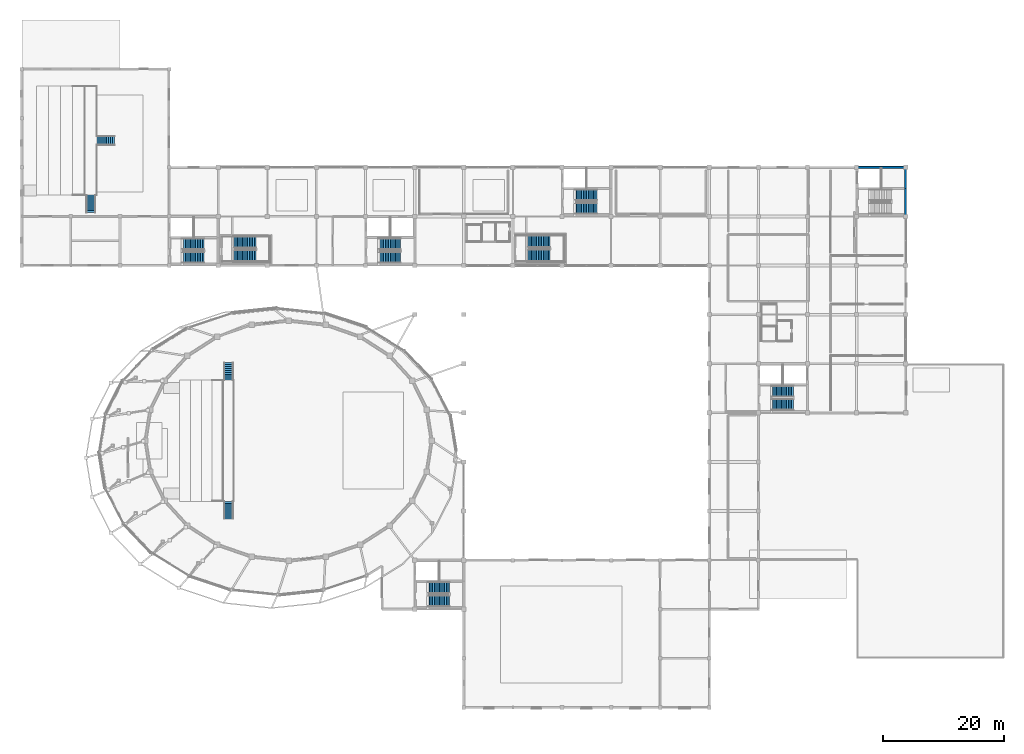
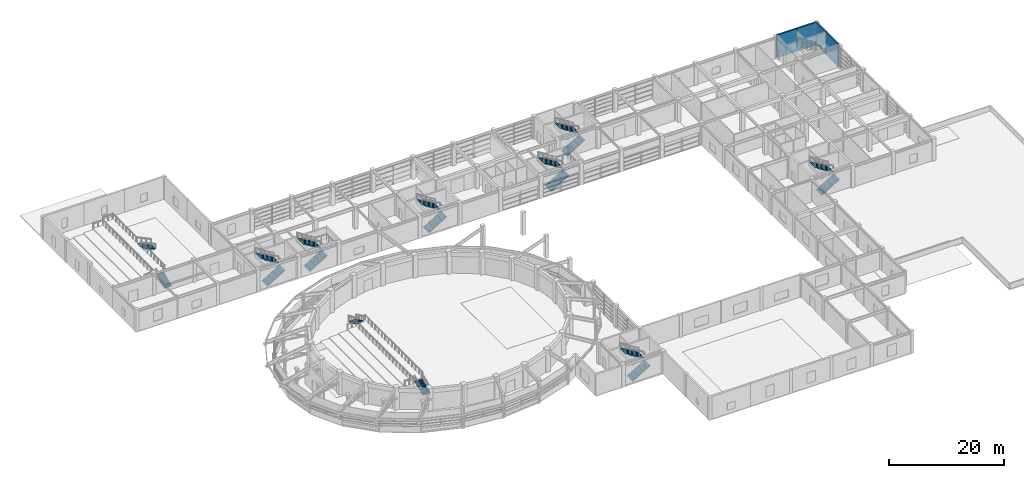
# One storey, part 44 of 56: 18 stair flights, 4 walls, 11 elements without a shape of their own.
"""IFC4 building model written with IfcOpenShell, lengths in metres."""

from ifc_helpers import new_model, si_unit, direction, frame, frame_2d, origin, place, context, subcontext, project, spatial, polyline, rectangle, outline, extrude, material, layer, layer_set, type_object, element, aggregate, save


model = new_model("IFC4")

# Units and contexts
model_context = context("Model", 3, precision=1e-05, world=origin(), true_north=direction((0.0, 1.0)))
body_context = subcontext(model_context, "Body", "Model", "MODEL_VIEW")
ifc_project = project(units=[si_unit("LENGTHUNIT", "METRE"), si_unit("AREAUNIT", "SQUARE_METRE"), si_unit("VOLUMEUNIT", "CUBIC_METRE"), si_unit("PLANEANGLEUNIT", "RADIAN"), si_unit("MASSUNIT", "GRAM", prefix="KILO")], contexts=[model_context])

# Site, building, storey
site_placement = place(None, origin())
site = spatial("IfcSite", under=ifc_project, at=site_placement, CompositionType="ELEMENT")
building_placement = place(site_placement, origin())
building = spatial("IfcBuilding", under=site, at=building_placement, Name="Parian Resonance Hall", CompositionType="ELEMENT")
storey_placement = place(building_placement, frame((0.0, 0.0, 5.39990234375)))
storey = spatial("IfcBuildingStorey", under=building, at=storey_placement, Name="L01", CompositionType="ELEMENT", Elevation=5.39990234375)

# Walls
ifc_material_1 = material(Name="Concrete C40/50", Category="concrete")
ifc_layer = layer(ifc_material_1, 0.31005859375)
ifc_layer_set = layer_set([ifc_layer], Name="Concrete C40/50")
wall_type = type_object("IfcWallType", Name="CW310", PredefinedType="SHEAR", material=ifc_layer_set)
wall_1_placement = place(storey_placement, frame((137.7900390625, 89.10009765625, 0.0), z_axis=(0.0, 0.0, 1.0), x_axis=(1.0, 0.0, 0.0)))
element("IfcWall", 1, at=wall_1_placement, inside=storey, type_object=wall_type, Name="Core K6 north-west shaft wall L01", PredefinedType="SHEAR", context=body_context, shape_type="SweptSolid", body=[
    extrude(rectangle(XDim=3.9599609375, YDim=0.31005859375, at=frame_2d((1.97998046875, 0.0))), origin(), (0.0, 0.0, 1.0), 4.800048828125),
])
wall_2_placement = place(storey_placement, frame((141.75, 89.10009765625, 0.0), z_axis=(0.0, 0.0, 1.0), x_axis=(1.0, 0.0, 0.0)))
element("IfcWall", 2, at=wall_2_placement, inside=storey, type_object=wall_type, Name="Core K6 north-east shaft wall L01", PredefinedType="SHEAR", context=body_context, shape_type="SweptSolid", body=[
    extrude(rectangle(XDim=4.02001953125, YDim=0.31005859375, at=frame_2d((2.010009765625, 0.0))), origin(), (0.0, 0.0, 1.0), 4.800048828125),
])
wall_3_placement = place(storey_placement, frame((145.77001953125, 89.10009765625, 0.0), z_axis=(0.0, 0.0, 1.0), x_axis=(0.0, -1.0, 0.0)))
element("IfcWall", 3, at=wall_3_placement, inside=storey, type_object=wall_type, Name="Core K6 east shaft wall L01", PredefinedType="SHEAR", context=body_context, shape_type="SweptSolid", body=[
    extrude(rectangle(XDim=3.489990234375, YDim=0.31005859375, at=frame_2d((1.7451171875, 0.0))), origin(), (0.0, 0.0, 1.0), 4.800048828125),
])
wall_4_placement = place(storey_placement, frame((145.77001953125, 85.610107421875, 0.0), z_axis=(0.0, 0.0, 1.0), x_axis=(0.0, -1.0, 0.0)))
element("IfcWall", 4, at=wall_4_placement, inside=storey, type_object=wall_type, Name="Core K6 stairwell east wall L01", PredefinedType="SHEAR", context=body_context, shape_type="SweptSolid", body=[
    extrude(rectangle(XDim=4.360107421875, YDim=0.31005859375, at=frame_2d((2.18017578125, 0.0))), origin(), (0.0, 0.0, 1.0), 4.800048828125),
])

# Stair, stair flight
ifc_material_2 = material(Name="Concrete C40/50", Category="concrete")
stair_type_1 = type_object("IfcStairType", Name="STAIR-TIER-1480", PredefinedType="STRAIGHT_RUN_STAIR", material=ifc_material_2)
stair_1_placement = place(storey_placement, origin())
stair_1 = element("IfcStair", 5, at=stair_1_placement, inside=storey, type_object=stair_type_1, Name="Auditorium stepped aisle stair ST-T01", PredefinedType="STRAIGHT_RUN_STAIR")
ifc_material_3 = material(Name="Concrete C40/50", Category="concrete")
stair_flight_type_1 = type_object("IfcStairFlightType", Name="FLIGHT-1480", PredefinedType="STRAIGHT", material=ifc_material_3)
stair_flight_1_placement = place(storey_placement, frame((34.10009765625, 31.1201171875, 0.0), z_axis=(0.0, 0.0, 1.0), x_axis=(0.0, 1.0, 0.0)))
stair_flight_1 = element("IfcStairFlight", 6, at=stair_flight_1_placement, type_object=stair_flight_type_1, Name="STT-148 flight 1", NumberOfRisers=10, NumberOfTreads=9, PredefinedType="STRAIGHT", RiserHeight=0.15, TreadLength=0.32, context=body_context, shape_type="SweptSolid", body=[
    extrude(outline(polyline([(0.0, 0.0), (0.0, 0.14990234375), (0.320068359375, 0.14990234375), (0.320068359375, 0.300048828125), (0.639892578125, 0.300048828125), (0.639892578125, 0.449951171875), (0.9599609375, 0.449951171875), (0.9599609375, 0.60009765625), (1.280029296875, 0.60009765625), (1.280029296875, 0.75), (1.60009765625, 0.75), (1.60009765625, 0.89990234375), (1.919921875, 0.89990234375), (1.919921875, 1.050048828125), (2.239990234375, 1.050048828125), (2.239990234375, 1.199951171875), (2.56005859375, 1.199951171875), (2.56005859375, 1.35009765625), (2.8798828125, 1.35009765625), (2.8798828125, 1.5), (2.8798828125, 1.184326171875), (0.353271484375, 0.0), (0.0, 0.0)])), frame((0.0, 0.739990234375, 0.0), z_axis=(0.0, -1.0, 0.0), x_axis=(1.0, 0.0, 0.0)), (0.0, 0.0, 1.0), 1.47998046875),
])
aggregate(stair_1, [stair_flight_1])

stair_2_placement = place(storey_placement, origin())
stair_2 = element("IfcStair", 7, at=stair_2_placement, inside=storey, type_object=stair_type_1, Name="Auditorium stepped aisle stair ST-T02", PredefinedType="STRAIGHT_RUN_STAIR")
stair_flight_2_placement = place(storey_placement, frame((34.10009765625, 56.8798828125, 0.0), z_axis=(0.0, 0.0, 1.0), x_axis=(0.0, -1.0, 0.0)))
stair_flight_2 = element("IfcStairFlight", 8, at=stair_flight_2_placement, type_object=stair_flight_type_1, Name="STT-148 flight 1", NumberOfRisers=10, NumberOfTreads=9, PredefinedType="STRAIGHT", RiserHeight=0.15, TreadLength=0.32, context=body_context, shape_type="SweptSolid", body=[
    extrude(outline(polyline([(0.0, 0.0), (0.0, 0.14990234375), (0.320068359375, 0.14990234375), (0.320068359375, 0.300048828125), (0.639892578125, 0.300048828125), (0.639892578125, 0.449951171875), (0.9599609375, 0.449951171875), (0.9599609375, 0.60009765625), (1.280029296875, 0.60009765625), (1.280029296875, 0.75), (1.60009765625, 0.75), (1.60009765625, 0.89990234375), (1.919921875, 0.89990234375), (1.919921875, 1.050048828125), (2.239990234375, 1.050048828125), (2.239990234375, 1.199951171875), (2.56005859375, 1.199951171875), (2.56005859375, 1.35009765625), (2.8798828125, 1.35009765625), (2.8798828125, 1.5), (2.8798828125, 1.184326171875), (0.353271484375, 0.0), (0.0, 0.0)])), frame((0.0, 0.739990234375, 0.0), z_axis=(0.0, -1.0, 0.0), x_axis=(1.0, 0.0, 0.0)), (0.0, 0.0, 1.0), 1.47998046875),
])
aggregate(stair_2, [stair_flight_2])

stair_3_placement = place(storey_placement, origin())
stair_3 = element("IfcStair", 9, at=stair_3_placement, inside=storey, type_object=stair_type_1, Name="Auditorium stepped aisle stair ST-T03", PredefinedType="STRAIGHT_RUN_STAIR")
stair_flight_3_placement = place(storey_placement, frame((11.39990234375, 81.6201171875, 0.0), z_axis=(0.0, 0.0, 1.0), x_axis=(0.0, 1.0, 0.0)))
stair_flight_3 = element("IfcStairFlight", 10, at=stair_flight_3_placement, type_object=stair_flight_type_1, Name="STT-148 flight 1", NumberOfRisers=10, NumberOfTreads=9, PredefinedType="STRAIGHT", RiserHeight=0.15, TreadLength=0.32, context=body_context, shape_type="SweptSolid", body=[
    extrude(outline(polyline([(0.0, 0.0), (0.0, 0.14990234375), (0.320068359375, 0.14990234375), (0.320068359375, 0.300048828125), (0.639892578125, 0.300048828125), (0.639892578125, 0.449951171875), (0.9599609375, 0.449951171875), (0.9599609375, 0.60009765625), (1.280029296875, 0.60009765625), (1.280029296875, 0.75), (1.60009765625, 0.75), (1.60009765625, 0.89990234375), (1.919921875, 0.89990234375), (1.919921875, 1.050048828125), (2.239990234375, 1.050048828125), (2.239990234375, 1.199951171875), (2.56005859375, 1.199951171875), (2.56005859375, 1.35009765625), (2.8798828125, 1.35009765625), (2.8798828125, 1.5), (2.8798828125, 1.184326171875), (0.353271484375, 0.0), (0.0, 0.0)])), frame((0.0, 0.739990234375, 0.0), z_axis=(0.0, -1.0, 0.0), x_axis=(1.0, 0.0, 0.0)), (0.0, 0.0, 1.0), 1.47998046875),
])
aggregate(stair_3, [stair_flight_3])

stair_4_placement = place(storey_placement, origin())
stair_4 = element("IfcStair", 11, at=stair_4_placement, inside=storey, type_object=stair_type_1, Name="Auditorium stepped aisle stair ST-T04", PredefinedType="STRAIGHT_RUN_STAIR")
stair_flight_4_placement = place(storey_placement, frame((15.280029296875, 93.5, 0.0), z_axis=(0.0, 0.0, 1.0), x_axis=(-1.0, 0.0, 0.0)))
stair_flight_4 = element("IfcStairFlight", 12, at=stair_flight_4_placement, type_object=stair_flight_type_1, Name="STT-148 flight 1", NumberOfRisers=10, NumberOfTreads=9, PredefinedType="STRAIGHT", RiserHeight=0.15, TreadLength=0.32, context=body_context, shape_type="SweptSolid", body=[
    extrude(outline(polyline([(0.0, 0.0), (0.0, 0.14990234375), (0.320068359375, 0.14990234375), (0.320068359375, 0.300048828125), (0.639892578125, 0.300048828125), (0.639892578125, 0.449951171875), (0.9599609375, 0.449951171875), (0.9599609375, 0.60009765625), (1.280029296875, 0.60009765625), (1.280029296875, 0.75), (1.60009765625, 0.75), (1.60009765625, 0.89990234375), (1.919921875, 0.89990234375), (1.919921875, 1.050048828125), (2.239990234375, 1.050048828125), (2.239990234375, 1.199951171875), (2.56005859375, 1.199951171875), (2.56005859375, 1.35009765625), (2.8798828125, 1.35009765625), (2.8798828125, 1.5), (2.8798828125, 1.184326171875), (0.353271484375, 0.0), (0.0, 0.0)])), frame((0.0, 0.739990234375, 0.0), z_axis=(0.0, -1.0, 0.0), x_axis=(1.0, 0.0, 0.0)), (0.0, 0.0, 1.0), 1.47998046875),
])
aggregate(stair_4, [stair_flight_4])

# Stair, stair flights
ifc_material_4 = material(Name="Concrete C40/50", Category="concrete")
stair_type_2 = type_object("IfcStairType", Name="STAIR-FOYER-1550", PredefinedType="HALF_TURN_STAIR", material=ifc_material_4)
stair_5_placement = place(storey_placement, origin())
stair_5 = element("IfcStair", 13, at=stair_5_placement, inside=storey, type_object=stair_type_2, Name="L01 ST-07", PredefinedType="HALF_TURN_STAIR")
ifc_material_5 = material(Name="Concrete C40/50", Category="concrete")
stair_flight_type_2 = type_object("IfcStairFlightType", Name="FLIGHT-1550", PredefinedType="STRAIGHT", material=ifc_material_5)
stair_flight_5_placement = place(storey_placement, frame((35.010009765625, 74.47998046875, 0.0), z_axis=(0.0, 0.0, 1.0), x_axis=(1.0, 0.0, 0.0)))
stair_flight_5 = element("IfcStairFlight", 14, at=stair_flight_5_placement, type_object=stair_flight_type_2, Name="ST-07 flight 1", NumberOfRisers=14, NumberOfTreads=13, PredefinedType="STRAIGHT", RiserHeight=0.171428571, TreadLength=0.28, context=body_context, shape_type="SweptSolid", body=[
    extrude(outline(polyline([(0.0, 0.0), (0.0, 0.17138671875), (0.280029296875, 0.17138671875), (0.280029296875, 0.3427734375), (0.56005859375, 0.3427734375), (0.56005859375, 0.514404296875), (0.840087890625, 0.514404296875), (0.840087890625, 0.685791015625), (1.1201171875, 0.685791015625), (1.1201171875, 0.857177734375), (1.39990234375, 0.857177734375), (1.39990234375, 1.028564453125), (1.679931640625, 1.028564453125), (1.679931640625, 1.199951171875), (1.9599609375, 1.199951171875), (1.9599609375, 1.371337890625), (2.239990234375, 1.371337890625), (2.239990234375, 1.54296875), (2.52001953125, 1.54296875), (2.52001953125, 1.71435546875), (2.800048828125, 1.71435546875), (2.800048828125, 1.8857421875), (3.080078125, 1.8857421875), (3.080078125, 2.05712890625), (3.360107421875, 2.05712890625), (3.360107421875, 2.228515625), (3.639892578125, 2.228515625), (3.639892578125, 2.39990234375), (3.639892578125, 2.052734375), (0.287109375, 0.0), (0.0, 0.0)])), frame((0.0, 0.97998046875, 0.0), z_axis=(0.0, -1.0, 0.0), x_axis=(1.0, 0.0, 0.0)), (0.0, 0.0, 1.0), 1.9599609375),
])
stair_flight_6_placement = place(storey_placement, frame((38.64990234375, 76.699951171875, 2.400146484375), z_axis=(0.0, 0.0, 1.0), x_axis=(-1.0, 0.0, 0.0)))
stair_flight_6 = element("IfcStairFlight", 15, at=stair_flight_6_placement, type_object=stair_flight_type_2, Name="ST-07 flight 2", NumberOfRisers=14, NumberOfTreads=13, PredefinedType="STRAIGHT", RiserHeight=0.171428571, TreadLength=0.28, context=body_context, shape_type="SweptSolid", body=[
    extrude(outline(polyline([(0.0, 0.0), (0.0, 0.17138671875), (0.280029296875, 0.17138671875), (0.280029296875, 0.3427734375), (0.56005859375, 0.3427734375), (0.56005859375, 0.514404296875), (0.840087890625, 0.514404296875), (0.840087890625, 0.685791015625), (1.1201171875, 0.685791015625), (1.1201171875, 0.857177734375), (1.39990234375, 0.857177734375), (1.39990234375, 1.028564453125), (1.679931640625, 1.028564453125), (1.679931640625, 1.199951171875), (1.9599609375, 1.199951171875), (1.9599609375, 1.371337890625), (2.239990234375, 1.371337890625), (2.239990234375, 1.54296875), (2.52001953125, 1.54296875), (2.52001953125, 1.71435546875), (2.800048828125, 1.71435546875), (2.800048828125, 1.8857421875), (3.080078125, 1.8857421875), (3.080078125, 2.05712890625), (3.360107421875, 2.05712890625), (3.360107421875, 2.228515625), (3.639892578125, 2.228515625), (3.639892578125, 2.39990234375), (3.639892578125, 2.052734375), (0.287109375, 0.0), (0.0, 0.0)])), frame((0.0, 0.97998046875, 0.0), z_axis=(0.0, -1.0, 0.0), x_axis=(1.0, 0.0, 0.0)), (0.0, 0.0, 1.0), 1.9599609375),
])
aggregate(stair_5, [stair_flight_5, stair_flight_6])

ifc_material_6 = material(Name="Concrete C40/50", Category="concrete")
stair_type_3 = type_object("IfcStairType", Name="STAIR-FOYER-1650", PredefinedType="HALF_TURN_STAIR", material=ifc_material_6)
stair_6_placement = place(storey_placement, origin())
stair_6 = element("IfcStair", 16, at=stair_6_placement, inside=storey, type_object=stair_type_3, Name="L01 ST-08", PredefinedType="HALF_TURN_STAIR")
ifc_material_7 = material(Name="Concrete C40/50", Category="concrete")
stair_flight_type_3 = type_object("IfcStairFlightType", Name="FLIGHT-1650", PredefinedType="STRAIGHT", material=ifc_material_7)
stair_flight_7_placement = place(storey_placement, frame((83.510009765625, 74.530029296875, 0.0), z_axis=(0.0, 0.0, 1.0), x_axis=(1.0, 0.0, 0.0)))
stair_flight_7 = element("IfcStairFlight", 17, at=stair_flight_7_placement, type_object=stair_flight_type_3, Name="ST-08 flight 1", NumberOfRisers=14, NumberOfTreads=13, PredefinedType="STRAIGHT", RiserHeight=0.171428571, TreadLength=0.28, context=body_context, shape_type="SweptSolid", body=[
    extrude(outline(polyline([(0.0, 0.0), (0.0, 0.17138671875), (0.280029296875, 0.17138671875), (0.280029296875, 0.3427734375), (0.56005859375, 0.3427734375), (0.56005859375, 0.514404296875), (0.840087890625, 0.514404296875), (0.840087890625, 0.685791015625), (1.1201171875, 0.685791015625), (1.1201171875, 0.857177734375), (1.39990234375, 0.857177734375), (1.39990234375, 1.028564453125), (1.679931640625, 1.028564453125), (1.679931640625, 1.199951171875), (1.9599609375, 1.199951171875), (1.9599609375, 1.371337890625), (2.239990234375, 1.371337890625), (2.239990234375, 1.54296875), (2.52001953125, 1.54296875), (2.52001953125, 1.71435546875), (2.800048828125, 1.71435546875), (2.800048828125, 1.8857421875), (3.080078125, 1.8857421875), (3.080078125, 2.05712890625), (3.360107421875, 2.05712890625), (3.360107421875, 2.228515625), (3.639892578125, 2.228515625), (3.639892578125, 2.39990234375), (3.639892578125, 2.052734375), (0.287109375, 0.0), (0.0, 0.0)])), frame((0.0, 1.030029296875, 0.0), z_axis=(0.0, -1.0, 0.0), x_axis=(1.0, 0.0, 0.0)), (0.0, 0.0, 1.0), 2.06005859375),
])
stair_flight_8_placement = place(storey_placement, frame((87.14990234375, 76.85009765625, 2.400146484375), z_axis=(0.0, 0.0, 1.0), x_axis=(-1.0, 0.0, 0.0)))
stair_flight_8 = element("IfcStairFlight", 18, at=stair_flight_8_placement, type_object=stair_flight_type_3, Name="ST-08 flight 2", NumberOfRisers=14, NumberOfTreads=13, PredefinedType="STRAIGHT", RiserHeight=0.171428571, TreadLength=0.28, context=body_context, shape_type="SweptSolid", body=[
    extrude(outline(polyline([(0.0, 0.0), (0.0, 0.17138671875), (0.280029296875, 0.17138671875), (0.280029296875, 0.3427734375), (0.56005859375, 0.3427734375), (0.56005859375, 0.514404296875), (0.840087890625, 0.514404296875), (0.840087890625, 0.685791015625), (1.1201171875, 0.685791015625), (1.1201171875, 0.857177734375), (1.39990234375, 0.857177734375), (1.39990234375, 1.028564453125), (1.679931640625, 1.028564453125), (1.679931640625, 1.199951171875), (1.9599609375, 1.199951171875), (1.9599609375, 1.371337890625), (2.239990234375, 1.371337890625), (2.239990234375, 1.54296875), (2.52001953125, 1.54296875), (2.52001953125, 1.71435546875), (2.800048828125, 1.71435546875), (2.800048828125, 1.8857421875), (3.080078125, 1.8857421875), (3.080078125, 2.05712890625), (3.360107421875, 2.05712890625), (3.360107421875, 2.228515625), (3.639892578125, 2.228515625), (3.639892578125, 2.39990234375), (3.639892578125, 2.052734375), (0.287109375, 0.0), (0.0, 0.0)])), frame((0.0, 1.030029296875, 0.0), z_axis=(0.0, -1.0, 0.0), x_axis=(1.0, 0.0, 0.0)), (0.0, 0.0, 1.0), 2.06005859375),
])
aggregate(stair_6, [stair_flight_7, stair_flight_8])

ifc_material_8 = material(Name="Concrete C40/50", Category="concrete")
stair_type_4 = type_object("IfcStairType", Name="STAIR-CORE-1800", PredefinedType="HALF_TURN_STAIR", material=ifc_material_8)
stair_7_placement = place(storey_placement, origin())
stair_7 = element("IfcStair", 19, at=stair_7_placement, inside=storey, type_object=stair_type_4, Name="L01 ST-04", PredefinedType="HALF_TURN_STAIR")
ifc_material_9 = material(Name="Concrete C40/50", Category="concrete")
stair_flight_type_4 = type_object("IfcStairFlightType", Name="FLIGHT-1800", PredefinedType="STRAIGHT", material=ifc_material_9)
stair_flight_9_placement = place(storey_placement, frame((26.419921875, 74.239990234375, 0.0), z_axis=(0.0, 0.0, 1.0), x_axis=(1.0, 0.0, 0.0)))
stair_flight_9 = element("IfcStairFlight", 20, at=stair_flight_9_placement, type_object=stair_flight_type_4, Name="ST-04 flight 1", NumberOfRisers=14, NumberOfTreads=13, PredefinedType="STRAIGHT", RiserHeight=0.171428571, TreadLength=0.28, context=body_context, shape_type="SweptSolid", body=[
    extrude(outline(polyline([(0.0, 0.0), (0.0, 0.17138671875), (0.280029296875, 0.17138671875), (0.280029296875, 0.3427734375), (0.56005859375, 0.3427734375), (0.56005859375, 0.514404296875), (0.840087890625, 0.514404296875), (0.840087890625, 0.685791015625), (1.1201171875, 0.685791015625), (1.1201171875, 0.857177734375), (1.39990234375, 0.857177734375), (1.39990234375, 1.028564453125), (1.679931640625, 1.028564453125), (1.679931640625, 1.199951171875), (1.9599609375, 1.199951171875), (1.9599609375, 1.371337890625), (2.239990234375, 1.371337890625), (2.239990234375, 1.54296875), (2.52001953125, 1.54296875), (2.52001953125, 1.71435546875), (2.800048828125, 1.71435546875), (2.800048828125, 1.8857421875), (3.080078125, 1.8857421875), (3.080078125, 2.05712890625), (3.360107421875, 2.05712890625), (3.360107421875, 2.228515625), (3.639892578125, 2.228515625), (3.639892578125, 2.39990234375), (3.639892578125, 2.052734375), (0.287109375, 0.0), (0.0, 0.0)])), frame((0.0, 0.93994140625, 0.0), z_axis=(0.0, -1.0, 0.0), x_axis=(1.0, 0.0, 0.0)), (0.0, 0.0, 1.0), 1.8798828125),
])
stair_flight_10_placement = place(storey_placement, frame((30.06005859375, 76.419921875, 2.400146484375), z_axis=(0.0, 0.0, 1.0), x_axis=(-1.0, 0.0, 0.0)))
stair_flight_10 = element("IfcStairFlight", 21, at=stair_flight_10_placement, type_object=stair_flight_type_4, Name="ST-04 flight 2", NumberOfRisers=14, NumberOfTreads=13, PredefinedType="STRAIGHT", RiserHeight=0.171428571, TreadLength=0.28, context=body_context, shape_type="SweptSolid", body=[
    extrude(outline(polyline([(0.0, 0.0), (0.0, 0.17138671875), (0.280029296875, 0.17138671875), (0.280029296875, 0.3427734375), (0.56005859375, 0.3427734375), (0.56005859375, 0.514404296875), (0.840087890625, 0.514404296875), (0.840087890625, 0.685791015625), (1.1201171875, 0.685791015625), (1.1201171875, 0.857177734375), (1.39990234375, 0.857177734375), (1.39990234375, 1.028564453125), (1.679931640625, 1.028564453125), (1.679931640625, 1.199951171875), (1.9599609375, 1.199951171875), (1.9599609375, 1.371337890625), (2.239990234375, 1.371337890625), (2.239990234375, 1.54296875), (2.52001953125, 1.54296875), (2.52001953125, 1.71435546875), (2.800048828125, 1.71435546875), (2.800048828125, 1.8857421875), (3.080078125, 1.8857421875), (3.080078125, 2.05712890625), (3.360107421875, 2.05712890625), (3.360107421875, 2.228515625), (3.639892578125, 2.228515625), (3.639892578125, 2.39990234375), (3.639892578125, 2.052734375), (0.287109375, 0.0), (0.0, 0.0)])), frame((0.0, 0.93994140625, 0.0), z_axis=(0.0, -1.0, 0.0), x_axis=(1.0, 0.0, 0.0)), (0.0, 0.0, 1.0), 1.8798828125),
])
aggregate(stair_7, [stair_flight_9, stair_flight_10])

stair_8_placement = place(storey_placement, origin())
stair_8 = element("IfcStair", 22, at=stair_8_placement, inside=storey, type_object=stair_type_4, Name="L01 ST-05", PredefinedType="HALF_TURN_STAIR")
stair_flight_11_placement = place(storey_placement, frame((91.219970703125, 82.340087890625, 0.0), z_axis=(0.0, 0.0, 1.0), x_axis=(1.0, 0.0, 0.0)))
stair_flight_11 = element("IfcStairFlight", 23, at=stair_flight_11_placement, type_object=stair_flight_type_4, Name="ST-05 flight 1", NumberOfRisers=14, NumberOfTreads=13, PredefinedType="STRAIGHT", RiserHeight=0.171428571, TreadLength=0.28, context=body_context, shape_type="SweptSolid", body=[
    extrude(outline(polyline([(0.0, 0.0), (0.0, 0.17138671875), (0.280029296875, 0.17138671875), (0.280029296875, 0.3427734375), (0.56005859375, 0.3427734375), (0.56005859375, 0.514404296875), (0.840087890625, 0.514404296875), (0.840087890625, 0.685791015625), (1.1201171875, 0.685791015625), (1.1201171875, 0.857177734375), (1.39990234375, 0.857177734375), (1.39990234375, 1.028564453125), (1.679931640625, 1.028564453125), (1.679931640625, 1.199951171875), (1.9599609375, 1.199951171875), (1.9599609375, 1.371337890625), (2.239990234375, 1.371337890625), (2.239990234375, 1.54296875), (2.52001953125, 1.54296875), (2.52001953125, 1.71435546875), (2.800048828125, 1.71435546875), (2.800048828125, 1.8857421875), (3.080078125, 1.8857421875), (3.080078125, 2.05712890625), (3.360107421875, 2.05712890625), (3.360107421875, 2.228515625), (3.639892578125, 2.228515625), (3.639892578125, 2.39990234375), (3.639892578125, 2.052734375), (0.287109375, 0.0), (0.0, 0.0)])), frame((0.0, 0.93994140625, 0.0), z_axis=(0.0, -1.0, 0.0), x_axis=(1.0, 0.0, 0.0)), (0.0, 0.0, 1.0), 1.8798828125),
])
stair_flight_12_placement = place(storey_placement, frame((94.860107421875, 84.52001953125, 2.400146484375), z_axis=(0.0, 0.0, 1.0), x_axis=(-1.0, 0.0, 0.0)))
stair_flight_12 = element("IfcStairFlight", 24, at=stair_flight_12_placement, type_object=stair_flight_type_4, Name="ST-05 flight 2", NumberOfRisers=14, NumberOfTreads=13, PredefinedType="STRAIGHT", RiserHeight=0.171428571, TreadLength=0.28, context=body_context, shape_type="SweptSolid", body=[
    extrude(outline(polyline([(0.0, 0.0), (0.0, 0.17138671875), (0.280029296875, 0.17138671875), (0.280029296875, 0.3427734375), (0.56005859375, 0.3427734375), (0.56005859375, 0.514404296875), (0.840087890625, 0.514404296875), (0.840087890625, 0.685791015625), (1.1201171875, 0.685791015625), (1.1201171875, 0.857177734375), (1.39990234375, 0.857177734375), (1.39990234375, 1.028564453125), (1.679931640625, 1.028564453125), (1.679931640625, 1.199951171875), (1.9599609375, 1.199951171875), (1.9599609375, 1.371337890625), (2.239990234375, 1.371337890625), (2.239990234375, 1.54296875), (2.52001953125, 1.54296875), (2.52001953125, 1.71435546875), (2.800048828125, 1.71435546875), (2.800048828125, 1.8857421875), (3.080078125, 1.8857421875), (3.080078125, 2.05712890625), (3.360107421875, 2.05712890625), (3.360107421875, 2.228515625), (3.639892578125, 2.228515625), (3.639892578125, 2.39990234375), (3.639892578125, 2.052734375), (0.287109375, 0.0), (0.0, 0.0)])), frame((0.0, 0.93994140625, 0.0), z_axis=(0.0, -1.0, 0.0), x_axis=(1.0, 0.0, 0.0)), (0.0, 0.0, 1.0), 1.8798828125),
])
aggregate(stair_8, [stair_flight_11, stair_flight_12])

ifc_material_10 = material(Name="Concrete C40/50", Category="concrete")
stair_type_5 = type_object("IfcStairType", Name="STAIR-CORE-1850", PredefinedType="HALF_TURN_STAIR", material=ifc_material_10)
stair_9_placement = place(storey_placement, origin())
stair_9 = element("IfcStair", 25, at=stair_9_placement, inside=storey, type_object=stair_type_5, Name="L01 ST-01", PredefinedType="HALF_TURN_STAIR")
ifc_material_11 = material(Name="Concrete C40/50", Category="concrete")
stair_flight_type_5 = type_object("IfcStairFlightType", Name="FLIGHT-1850", PredefinedType="STRAIGHT", material=ifc_material_11)
stair_flight_13_placement = place(storey_placement, frame((58.840087890625, 74.25, 0.0), z_axis=(0.0, 0.0, 1.0), x_axis=(1.0, 0.0, 0.0)))
stair_flight_13 = element("IfcStairFlight", 26, at=stair_flight_13_placement, type_object=stair_flight_type_5, Name="ST-01 flight 1", NumberOfRisers=14, NumberOfTreads=13, PredefinedType="STRAIGHT", RiserHeight=0.171428571, TreadLength=0.28, context=body_context, shape_type="SweptSolid", body=[
    extrude(outline(polyline([(0.0, 0.0), (0.0, 0.17138671875), (0.280029296875, 0.17138671875), (0.280029296875, 0.3427734375), (0.56005859375, 0.3427734375), (0.56005859375, 0.514404296875), (0.840087890625, 0.514404296875), (0.840087890625, 0.685791015625), (1.1201171875, 0.685791015625), (1.1201171875, 0.857177734375), (1.39990234375, 0.857177734375), (1.39990234375, 1.028564453125), (1.679931640625, 1.028564453125), (1.679931640625, 1.199951171875), (1.9599609375, 1.199951171875), (1.9599609375, 1.371337890625), (2.239990234375, 1.371337890625), (2.239990234375, 1.54296875), (2.52001953125, 1.54296875), (2.52001953125, 1.71435546875), (2.800048828125, 1.71435546875), (2.800048828125, 1.8857421875), (3.080078125, 1.8857421875), (3.080078125, 2.05712890625), (3.360107421875, 2.05712890625), (3.360107421875, 2.228515625), (3.639892578125, 2.228515625), (3.639892578125, 2.39990234375), (3.639892578125, 2.052734375), (0.287109375, 0.0), (0.0, 0.0)])), frame((0.0, 0.949951171875, 0.0), z_axis=(0.0, -1.0, 0.0), x_axis=(1.0, 0.0, 0.0)), (0.0, 0.0, 1.0), 1.89990234375),
])
stair_flight_14_placement = place(storey_placement, frame((62.47998046875, 76.449951171875, 2.400146484375), z_axis=(0.0, 0.0, 1.0), x_axis=(-1.0, 0.0, 0.0)))
stair_flight_14 = element("IfcStairFlight", 27, at=stair_flight_14_placement, type_object=stair_flight_type_5, Name="ST-01 flight 2", NumberOfRisers=14, NumberOfTreads=13, PredefinedType="STRAIGHT", RiserHeight=0.171428571, TreadLength=0.28, context=body_context, shape_type="SweptSolid", body=[
    extrude(outline(polyline([(0.0, 0.0), (0.0, 0.17138671875), (0.280029296875, 0.17138671875), (0.280029296875, 0.3427734375), (0.56005859375, 0.3427734375), (0.56005859375, 0.514404296875), (0.840087890625, 0.514404296875), (0.840087890625, 0.685791015625), (1.1201171875, 0.685791015625), (1.1201171875, 0.857177734375), (1.39990234375, 0.857177734375), (1.39990234375, 1.028564453125), (1.679931640625, 1.028564453125), (1.679931640625, 1.199951171875), (1.9599609375, 1.199951171875), (1.9599609375, 1.371337890625), (2.239990234375, 1.371337890625), (2.239990234375, 1.54296875), (2.52001953125, 1.54296875), (2.52001953125, 1.71435546875), (2.800048828125, 1.71435546875), (2.800048828125, 1.8857421875), (3.080078125, 1.8857421875), (3.080078125, 2.05712890625), (3.360107421875, 2.05712890625), (3.360107421875, 2.228515625), (3.639892578125, 2.228515625), (3.639892578125, 2.39990234375), (3.639892578125, 2.052734375), (0.287109375, 0.0), (0.0, 0.0)])), frame((0.0, 0.949951171875, 0.0), z_axis=(0.0, -1.0, 0.0), x_axis=(1.0, 0.0, 0.0)), (0.0, 0.0, 1.0), 1.89990234375),
])
aggregate(stair_9, [stair_flight_13, stair_flight_14])

stair_10_placement = place(storey_placement, origin())
stair_10 = element("IfcStair", 28, at=stair_10_placement, inside=storey, type_object=stair_type_5, Name="L01 ST-02", PredefinedType="HALF_TURN_STAIR")
stair_flight_15_placement = place(storey_placement, frame((123.639892578125, 49.949951171875, 0.0), z_axis=(0.0, 0.0, 1.0), x_axis=(1.0, 0.0, 0.0)))
stair_flight_15 = element("IfcStairFlight", 29, at=stair_flight_15_placement, type_object=stair_flight_type_5, Name="ST-02 flight 1", NumberOfRisers=14, NumberOfTreads=13, PredefinedType="STRAIGHT", RiserHeight=0.171428571, TreadLength=0.28, context=body_context, shape_type="SweptSolid", body=[
    extrude(outline(polyline([(0.0, 0.0), (0.0, 0.17138671875), (0.280029296875, 0.17138671875), (0.280029296875, 0.3427734375), (0.56005859375, 0.3427734375), (0.56005859375, 0.514404296875), (0.840087890625, 0.514404296875), (0.840087890625, 0.685791015625), (1.1201171875, 0.685791015625), (1.1201171875, 0.857177734375), (1.39990234375, 0.857177734375), (1.39990234375, 1.028564453125), (1.679931640625, 1.028564453125), (1.679931640625, 1.199951171875), (1.9599609375, 1.199951171875), (1.9599609375, 1.371337890625), (2.239990234375, 1.371337890625), (2.239990234375, 1.54296875), (2.52001953125, 1.54296875), (2.52001953125, 1.71435546875), (2.800048828125, 1.71435546875), (2.800048828125, 1.8857421875), (3.080078125, 1.8857421875), (3.080078125, 2.05712890625), (3.360107421875, 2.05712890625), (3.360107421875, 2.228515625), (3.639892578125, 2.228515625), (3.639892578125, 2.39990234375), (3.639892578125, 2.052734375), (0.287109375, 0.0), (0.0, 0.0)])), frame((0.0, 0.949951171875, 0.0), z_axis=(0.0, -1.0, 0.0), x_axis=(1.0, 0.0, 0.0)), (0.0, 0.0, 1.0), 1.89990234375),
])
stair_flight_16_placement = place(storey_placement, frame((127.280029296875, 52.14990234375, 2.400146484375), z_axis=(0.0, 0.0, 1.0), x_axis=(-1.0, 0.0, 0.0)))
stair_flight_16 = element("IfcStairFlight", 30, at=stair_flight_16_placement, type_object=stair_flight_type_5, Name="ST-02 flight 2", NumberOfRisers=14, NumberOfTreads=13, PredefinedType="STRAIGHT", RiserHeight=0.171428571, TreadLength=0.28, context=body_context, shape_type="SweptSolid", body=[
    extrude(outline(polyline([(0.0, 0.0), (0.0, 0.17138671875), (0.280029296875, 0.17138671875), (0.280029296875, 0.3427734375), (0.56005859375, 0.3427734375), (0.56005859375, 0.514404296875), (0.840087890625, 0.514404296875), (0.840087890625, 0.685791015625), (1.1201171875, 0.685791015625), (1.1201171875, 0.857177734375), (1.39990234375, 0.857177734375), (1.39990234375, 1.028564453125), (1.679931640625, 1.028564453125), (1.679931640625, 1.199951171875), (1.9599609375, 1.199951171875), (1.9599609375, 1.371337890625), (2.239990234375, 1.371337890625), (2.239990234375, 1.54296875), (2.52001953125, 1.54296875), (2.52001953125, 1.71435546875), (2.800048828125, 1.71435546875), (2.800048828125, 1.8857421875), (3.080078125, 1.8857421875), (3.080078125, 2.05712890625), (3.360107421875, 2.05712890625), (3.360107421875, 2.228515625), (3.639892578125, 2.228515625), (3.639892578125, 2.39990234375), (3.639892578125, 2.052734375), (0.287109375, 0.0), (0.0, 0.0)])), frame((0.0, 0.949951171875, 0.0), z_axis=(0.0, -1.0, 0.0), x_axis=(1.0, 0.0, 0.0)), (0.0, 0.0, 1.0), 1.89990234375),
])
aggregate(stair_10, [stair_flight_15, stair_flight_16])

stair_11_placement = place(storey_placement, origin())
stair_11 = element("IfcStair", 31, at=stair_11_placement, inside=storey, type_object=stair_type_5, Name="L01 ST-03", PredefinedType="HALF_TURN_STAIR")
stair_flight_17_placement = place(storey_placement, frame((66.93994140625, 17.550048828125, 0.0), z_axis=(0.0, 0.0, 1.0), x_axis=(1.0, 0.0, 0.0)))
stair_flight_17 = element("IfcStairFlight", 32, at=stair_flight_17_placement, type_object=stair_flight_type_5, Name="ST-03 flight 1", NumberOfRisers=14, NumberOfTreads=13, PredefinedType="STRAIGHT", RiserHeight=0.171428571, TreadLength=0.28, context=body_context, shape_type="SweptSolid", body=[
    extrude(outline(polyline([(0.0, 0.0), (0.0, 0.17138671875), (0.280029296875, 0.17138671875), (0.280029296875, 0.3427734375), (0.56005859375, 0.3427734375), (0.56005859375, 0.514404296875), (0.840087890625, 0.514404296875), (0.840087890625, 0.685791015625), (1.1201171875, 0.685791015625), (1.1201171875, 0.857177734375), (1.39990234375, 0.857177734375), (1.39990234375, 1.028564453125), (1.679931640625, 1.028564453125), (1.679931640625, 1.199951171875), (1.9599609375, 1.199951171875), (1.9599609375, 1.371337890625), (2.239990234375, 1.371337890625), (2.239990234375, 1.54296875), (2.52001953125, 1.54296875), (2.52001953125, 1.71435546875), (2.800048828125, 1.71435546875), (2.800048828125, 1.8857421875), (3.080078125, 1.8857421875), (3.080078125, 2.05712890625), (3.360107421875, 2.05712890625), (3.360107421875, 2.228515625), (3.639892578125, 2.228515625), (3.639892578125, 2.39990234375), (3.639892578125, 2.052734375), (0.287109375, 0.0), (0.0, 0.0)])), frame((0.0, 0.949951171875, 0.0), z_axis=(0.0, -1.0, 0.0), x_axis=(1.0, 0.0, 0.0)), (0.0, 0.0, 1.0), 1.89990234375),
])
stair_flight_18_placement = place(storey_placement, frame((70.580078125, 19.75, 2.400146484375), z_axis=(0.0, 0.0, 1.0), x_axis=(-1.0, 0.0, 0.0)))
stair_flight_18 = element("IfcStairFlight", 33, at=stair_flight_18_placement, type_object=stair_flight_type_5, Name="ST-03 flight 2", NumberOfRisers=14, NumberOfTreads=13, PredefinedType="STRAIGHT", RiserHeight=0.171428571, TreadLength=0.28, context=body_context, shape_type="SweptSolid", body=[
    extrude(outline(polyline([(0.0, 0.0), (0.0, 0.17138671875), (0.280029296875, 0.17138671875), (0.280029296875, 0.3427734375), (0.56005859375, 0.3427734375), (0.56005859375, 0.514404296875), (0.840087890625, 0.514404296875), (0.840087890625, 0.685791015625), (1.1201171875, 0.685791015625), (1.1201171875, 0.857177734375), (1.39990234375, 0.857177734375), (1.39990234375, 1.028564453125), (1.679931640625, 1.028564453125), (1.679931640625, 1.199951171875), (1.9599609375, 1.199951171875), (1.9599609375, 1.371337890625), (2.239990234375, 1.371337890625), (2.239990234375, 1.54296875), (2.52001953125, 1.54296875), (2.52001953125, 1.71435546875), (2.800048828125, 1.71435546875), (2.800048828125, 1.8857421875), (3.080078125, 1.8857421875), (3.080078125, 2.05712890625), (3.360107421875, 2.05712890625), (3.360107421875, 2.228515625), (3.639892578125, 2.228515625), (3.639892578125, 2.39990234375), (3.639892578125, 2.052734375), (0.287109375, 0.0), (0.0, 0.0)])), frame((0.0, 0.949951171875, 0.0), z_axis=(0.0, -1.0, 0.0), x_axis=(1.0, 0.0, 0.0)), (0.0, 0.0, 1.0), 1.89990234375),
])
aggregate(stair_11, [stair_flight_17, stair_flight_18])

save(model, "model.ifc")
